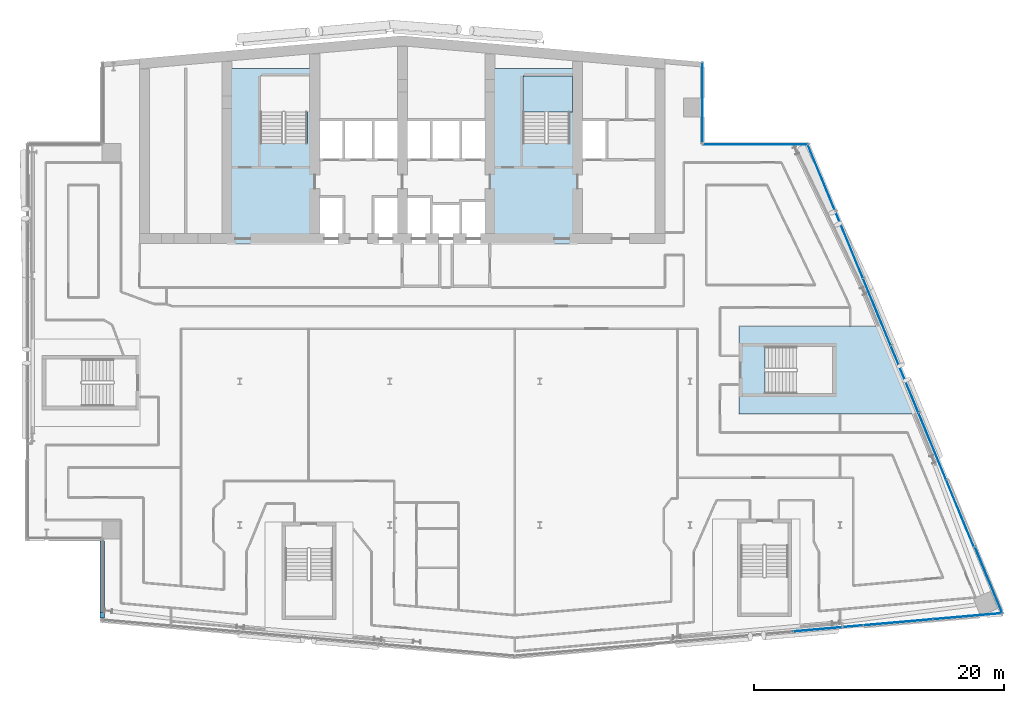
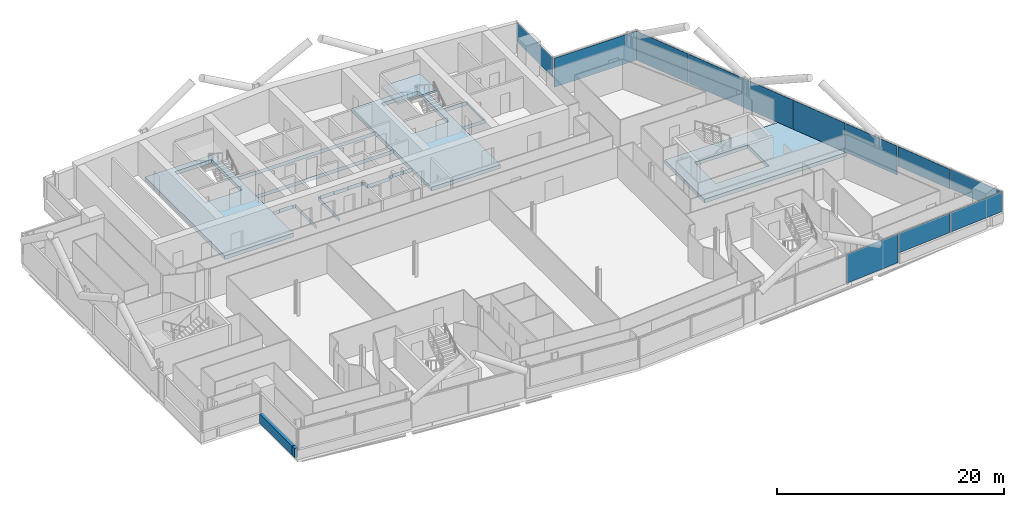
# One storey, part 14 of 27: 12 plates, 3 slabs, 2 walls, 5 elements without a shape of their own.
"""IFC4 building model written with IfcOpenShell, lengths in metres."""

from ifc_helpers import new_model, si_unit, direction, frame, frame_2d, origin, origin_2d, place, context, subcontext, project, spatial, polyline, rectangle, outline, extrude, material, layer, layer_set, type_object, element, aggregate, save


model = new_model("IFC4")

# Units and contexts
model_context = context("Model", 3, precision=1e-05, world=origin(), true_north=direction((0.0, 1.0)))
body_context = subcontext(model_context, "Body", "Model", "MODEL_VIEW")
ifc_project = project(units=[si_unit("LENGTHUNIT", "METRE"), si_unit("AREAUNIT", "SQUARE_METRE"), si_unit("VOLUMEUNIT", "CUBIC_METRE"), si_unit("PLANEANGLEUNIT", "RADIAN"), si_unit("MASSUNIT", "GRAM", prefix="KILO")], contexts=[model_context])

# Site, building, storey
site_placement = place(None, origin())
site = spatial("IfcSite", under=ifc_project, at=site_placement, CompositionType="ELEMENT")
building_placement = place(site_placement, origin())
building = spatial("IfcBuilding", under=site, at=building_placement, Name="Wharfspan Tower", CompositionType="ELEMENT")
storey_placement = place(building_placement, frame((0.0, 0.0, 191.5)))
storey = spatial("IfcBuildingStorey", under=building, at=storey_placement, Name="L47", CompositionType="ELEMENT", Elevation=191.5)

# Curtain wall, plates
ifc_material_1 = material(Name="Aluminium 6063-T6", Category="aluminium")
curtain_wall_type_1 = type_object("IfcCurtainWallType", Name="CURTAIN WALL FACETED FRONT", PredefinedType="NOTDEFINED", material=ifc_material_1)
curtain_wall_1_placement = place(storey_placement, origin())
curtain_wall_1 = element("IfcCurtainWall", 1, at=curtain_wall_1_placement, inside=storey, type_object=curtain_wall_type_1, Name="Curtain wall S2", PredefinedType="NOTDEFINED")
ifc_material_2 = material(Name="Glass clear low-iron double glazing", Category="glass")
ifc_layer_1 = layer(ifc_material_2, 0.040039)
ifc_layer_set_1 = layer_set([ifc_layer_1], Name="Glass clear low-iron double glazing")
plate_type_1 = type_object("IfcPlateType", Name="GLASS PANEL FACETED FRONT 40", PredefinedType="CURTAIN_PANEL", material=ifc_layer_set_1)
plate_1_placement = place(storey_placement, frame((76.637695, 3.728516, 1.0), z_axis=(0.0, 0.0, 1.0), x_axis=(0.996198, 0.087156, 0.0)))
plate_1 = element("IfcPlate", 2, at=plate_1_placement, type_object=plate_type_1, Name="Curtain wall S2 panel 6", PredefinedType="CURTAIN_PANEL", context=body_context, shape_type="SweptSolid", body=[
    extrude(rectangle(XDim=5.532715, YDim=0.040039, at=origin_2d()), origin(), (0.0, 0.0, 1.0), 2.120117),
])
plate_2_placement = place(storey_placement, frame((82.194092, 4.214844, 1.0), z_axis=(0.0, 0.0, 1.0), x_axis=(0.996198, 0.087156, 0.0)))
plate_2 = element("IfcPlate", 3, at=plate_2_placement, type_object=plate_type_1, Name="Curtain wall S2 panel 7", PredefinedType="CURTAIN_PANEL", context=body_context, shape_type="SweptSolid", body=[
    extrude(rectangle(XDim=5.502686, YDim=0.040039, at=origin_2d()), origin(), (0.0, 0.0, 1.0), 2.120117),
])

curtain_wall_type_2 = type_object("IfcCurtainWallType", Name="CURTAIN WALL PROW AND END", PredefinedType="NOTDEFINED", material=ifc_material_1)
curtain_wall_2_placement = place(storey_placement, origin())
curtain_wall_2 = element("IfcCurtainWall", 4, at=curtain_wall_2_placement, inside=storey, type_object=curtain_wall_type_2, Name="Curtain wall E", PredefinedType="NOTDEFINED")
ifc_layer_2 = layer(ifc_material_2, 0.040039)
ifc_layer_set_2 = layer_set([ifc_layer_2], Name="Glass clear low-iron double glazing")
plate_type_2 = type_object("IfcPlateType", Name="GLASS PANEL PROW AND END 40", PredefinedType="CURTAIN_PANEL", material=ifc_layer_set_2)
plate_3_placement = place(storey_placement, frame((83.885498, 7.099609, 1.0), z_axis=(0.0, 0.0, 1.0), x_axis=(-0.381602, 0.924325, 0.0)))
plate_3 = element("IfcPlate", 5, at=plate_3_placement, type_object=plate_type_2, Name="Curtain wall E panel 1", PredefinedType="CURTAIN_PANEL", context=body_context, shape_type="SweptSolid", body=[
    extrude(rectangle(XDim=5.721191, YDim=0.040039, at=origin_2d()), origin(), (0.0, 0.0, 1.0), 2.120117),
])
plate_4_placement = place(storey_placement, frame((81.599609, 12.426514, 1.0), z_axis=(0.0, 0.0, 1.0), x_axis=(-0.381602, 0.924325, 0.0)))
plate_4 = element("IfcPlate", 6, at=plate_4_placement, type_object=plate_type_2, Name="Curtain wall E panel 2", PredefinedType="CURTAIN_PANEL", context=body_context, shape_type="SweptSolid", body=[
    extrude(rectangle(XDim=5.751221, YDim=0.040039, at=origin_2d()), origin(), (0.0, 0.0, 1.0), 2.120117),
])

# Curtain wall, plate
curtain_wall_3_placement = place(storey_placement, origin())
curtain_wall_3 = element("IfcCurtainWall", 7, at=curtain_wall_3_placement, inside=storey, type_object=curtain_wall_type_2, Name="Curtain wall NRE-V", PredefinedType="NOTDEFINED")
plate_5_placement = place(storey_placement, frame((61.0, 45.262451, 1.0), z_axis=(0.0, 0.0, 1.0), x_axis=(0.0, 1.0, 0.0)))
plate_5 = element("IfcPlate", 8, at=plate_5_placement, type_object=plate_type_2, Name="Curtain wall NRE-V panel 1", PredefinedType="CURTAIN_PANEL", context=body_context, shape_type="SweptSolid", body=[
    extrude(rectangle(XDim=6.405029, YDim=0.040039, at=origin_2d()), origin(), (0.0, 0.0, 1.0), 2.120117),
])
aggregate(curtain_wall_3, [plate_5])

# Plate
ifc_material_3 = material(Name="Aluminium composite opaque insulated panel", Category="aluminium")
ifc_layer_3 = layer(ifc_material_3, 0.040039)
ifc_layer_set_3 = layer_set([ifc_layer_3], Name="Aluminium composite opaque insulated panel")
plate_type_3 = type_object("IfcPlateType", Name="INFILL PANEL FACETED FRONT OPAQUE 40", PredefinedType="SHEET", material=ifc_layer_set_3)
plate_6_placement = place(storey_placement, frame((71.066162, 3.241211, 0.0), z_axis=(0.0, 0.0, 1.0), x_axis=(0.996198, 0.087156, 0.0)))
plate_6 = element("IfcPlate", 9, at=plate_6_placement, type_object=plate_type_3, Name="Curtain wall S2 panel 5", PredefinedType="SHEET", context=body_context, shape_type="SweptSolid", body=[
    extrude(rectangle(XDim=5.532715, YDim=0.040039, at=origin_2d()), origin(), (0.0, 0.0, 1.0), 3.120117),
])

aggregate(curtain_wall_1, [plate_6, plate_1, plate_2])

ifc_layer_4 = layer(ifc_material_3, 0.040039)
ifc_layer_set_4 = layer_set([ifc_layer_4], Name="Aluminium composite opaque insulated panel")
plate_type_4 = type_object("IfcPlateType", Name="INFILL PANEL PROW AND END OPAQUE 40", PredefinedType="SHEET", material=ifc_layer_set_4)
plate_7_placement = place(storey_placement, frame((79.38208, 17.798096, 0.0), z_axis=(0.0, 0.0, 1.0), x_axis=(-0.381602, 0.924325, 0.0)))
plate_7 = element("IfcPlate", 10, at=plate_7_placement, type_object=plate_type_4, Name="Curtain wall E panel 3", PredefinedType="SHEET", context=body_context, shape_type="SweptSolid", body=[
    extrude(rectangle(XDim=5.751221, YDim=0.040039, at=origin_2d()), origin(), (0.0, 0.0, 1.0), 3.120117),
])

plate_8_placement = place(storey_placement, frame((77.164551, 23.169434, 0.0), z_axis=(0.0, 0.0, 1.0), x_axis=(-0.381602, 0.924325, 0.0)))
plate_8 = element("IfcPlate", 11, at=plate_8_placement, type_object=plate_type_4, Name="Curtain wall E panel 4", PredefinedType="SHEET", context=body_context, shape_type="SweptSolid", body=[
    extrude(rectangle(XDim=5.751221, YDim=0.040039, at=origin_2d()), origin(), (0.0, 0.0, 1.0), 3.120117),
])

plate_9_placement = place(storey_placement, frame((74.947021, 28.541016, 0.0), z_axis=(0.0, 0.0, 1.0), x_axis=(-0.381602, 0.924325, 0.0)))
plate_9 = element("IfcPlate", 12, at=plate_9_placement, type_object=plate_type_4, Name="Curtain wall E panel 5", PredefinedType="SHEET", context=body_context, shape_type="SweptSolid", body=[
    extrude(rectangle(XDim=5.751221, YDim=0.040039, at=origin_2d()), origin(), (0.0, 0.0, 1.0), 3.120117),
])

plate_10_placement = place(storey_placement, frame((72.729492, 33.912354, 0.0), z_axis=(0.0, 0.0, 1.0), x_axis=(-0.381602, 0.924325, 0.0)))
plate_10 = element("IfcPlate", 13, at=plate_10_placement, type_object=plate_type_4, Name="Curtain wall E panel 6", PredefinedType="SHEET", context=body_context, shape_type="SweptSolid", body=[
    extrude(rectangle(XDim=5.751221, YDim=0.040039, at=origin_2d()), origin(), (0.0, 0.0, 1.0), 3.120117),
])

plate_11_placement = place(storey_placement, frame((70.517578, 39.269775, 0.0), z_axis=(0.0, 0.0, 1.0), x_axis=(-0.381602, 0.924325, 0.0)))
plate_11 = element("IfcPlate", 14, at=plate_11_placement, type_object=plate_type_4, Name="Curtain wall E panel 7", PredefinedType="SHEET", context=body_context, shape_type="SweptSolid", body=[
    extrude(rectangle(XDim=5.721191, YDim=0.040039, at=origin_2d()), origin(), (0.0, 0.0, 1.0), 3.120117),
])

aggregate(curtain_wall_2, [plate_3, plate_4, plate_7, plate_8, plate_9, plate_10, plate_11])

# Curtain wall, plate
curtain_wall_4_placement = place(storey_placement, origin())
curtain_wall_4 = element("IfcCurtainWall", 15, at=curtain_wall_4_placement, inside=storey, type_object=curtain_wall_type_2, Name="Curtain wall NRE-H", PredefinedType="NOTDEFINED")
plate_12_placement = place(storey_placement, frame((65.238525, 41.919922, 0.0), z_axis=(0.0, 0.0, 1.0), x_axis=(-1.0, 0.0, 0.0)))
plate_12 = element("IfcPlate", 16, at=plate_12_placement, type_object=plate_type_4, Name="Curtain wall NRE-H panel 1", PredefinedType="SHEET", context=body_context, shape_type="SweptSolid", body=[
    extrude(rectangle(XDim=8.357178, YDim=0.040039, at=origin_2d()), origin(), (0.0, 0.0, 1.0), 3.120117),
])
aggregate(curtain_wall_4, [plate_12])

# Slabs
ifc_material_4 = material(Name="Concrete C40/50", Category="concrete")
ifc_layer_5 = layer(ifc_material_4, 0.399902)
ifc_layer_set_5 = layer_set([ifc_layer_5], Name="Concrete C40/50")
slab_type_1 = type_object("IfcSlabType", Name="Post-tensioned flat slab 400", PredefinedType="FLOOR", material=ifc_layer_set_5)
slab_1_placement = place(storey_placement, frame((0.0, 0.0, -0.400146)))
element("IfcSlab", 17, at=slab_1_placement, inside=storey, type_object=slab_type_1, Name="Core floor slab L47 part 3", PredefinedType="FLOOR", context=body_context, shape_type="SweptSolid", body=[
    extrude(outline(polyline([(23.0, 34.0), (29.998047, 34.0), (29.998047, 37.75), (29.998047, 37.750244), (29.998047, 37.750488), (29.998047, 37.750488), (29.998291, 37.750732), (29.998291, 37.750977), (29.998291, 37.751221), (29.998535, 37.751221), (29.998535, 37.751465), (29.998779, 37.751465), (29.998779, 37.751709), (29.999023, 37.751709), (29.999268, 37.751709), (29.999512, 37.751953), (29.999512, 37.751953), (29.999756, 37.751953), (30.0, 37.751953), (30.7146, 37.751953), (30.7146, 37.800049), (30.7146, 37.800293), (30.7146, 37.800293), (30.714844, 37.800537), (30.714844, 37.800781), (30.714844, 37.800781), (30.715088, 37.801025), (30.715088, 37.80127), (30.715332, 37.801514), (30.715332, 37.801514), (30.715576, 37.801758), (30.71582, 37.801758), (30.71582, 37.801758), (30.716064, 37.802002), (30.716309, 37.802002), (30.716553, 37.802002), (30.716797, 37.802002), (32.116699, 37.802002), (32.116943, 37.802002), (32.117188, 37.802002), (32.117188, 37.802002), (32.117432, 37.801758), (32.117676, 37.801758), (32.11792, 37.801758), (32.11792, 37.801514), (32.118164, 37.801514), (32.118164, 37.80127), (32.118408, 37.801025), (32.118408, 37.800781), (32.118408, 37.800781), (32.118652, 37.800537), (32.118652, 37.800293), (32.118652, 37.800293), (32.118652, 37.800049), (32.118652, 37.751953), (32.333252, 37.751953), (32.333496, 37.751953), (32.33374, 37.751953), (32.333984, 37.751953), (32.333984, 37.751709), (32.334229, 37.751709), (32.334473, 37.751709), (32.334717, 37.751465), (32.334717, 37.751465), (32.334961, 37.751221), (32.334961, 37.751221), (32.335205, 37.750977), (32.335205, 37.750732), (32.335205, 37.750488), (32.335205, 37.750488), (32.335205, 37.750244), (32.335205, 37.75), (32.335205, 34.0), (32.341309, 34.0), (32.341309, 37.758057), (32.126709, 37.758057), (32.126465, 37.758057), (32.126221, 37.758057), (32.126221, 37.758057), (32.125977, 37.758301), (32.125732, 37.758301), (32.125488, 37.758301), (32.125488, 37.758545), (32.125244, 37.758545), (32.125244, 37.758789), (32.125, 37.758789), (32.125, 37.759033), (32.125, 37.759277), (32.124756, 37.759521), (32.124756, 37.759521), (32.124756, 37.759766), (32.124756, 37.76001), (32.124756, 37.808105), (30.70874, 37.808105), (30.70874, 37.76001), (30.70874, 37.759766), (30.70874, 37.759521), (30.708496, 37.759521), (30.708496, 37.759277), (30.708496, 37.759033), (30.708496, 37.758789), (30.708252, 37.758789), (30.708008, 37.758545), (30.708008, 37.758545), (30.707764, 37.758301), (30.70752, 37.758301), (30.70752, 37.758301), (30.707275, 37.758057), (30.707031, 37.758057), (30.706787, 37.758057), (30.706787, 37.758057), (30.01001, 37.758057), (30.009766, 37.758057), (30.009521, 37.758057), (30.009521, 37.758057), (30.009277, 37.758301), (30.009033, 37.758301), (30.008789, 37.758301), (30.008789, 37.758545), (30.008545, 37.758545), (30.008545, 37.758789), (30.008301, 37.758789), (30.008301, 37.759033), (30.008301, 37.759277), (30.008057, 37.759521), (30.008057, 37.759521), (30.008057, 37.759766), (30.008057, 37.76001), (30.008057, 40.689941), (30.008057, 40.690186), (30.008057, 40.69043), (30.008057, 40.690674), (30.008301, 40.690918), (30.008301, 40.690918), (30.008301, 40.691162), (30.008545, 40.691406), (30.008545, 40.691406), (30.008789, 40.691406), (30.008789, 40.69165), (30.009033, 40.691895), (30.009277, 40.691895), (30.009521, 40.691895), (30.009521, 40.691895), (30.009766, 40.691895), (30.01001, 40.691895), (43.98999, 40.691895), (43.990234, 40.691895), (43.990479, 40.691895), (43.990479, 40.691895), (43.990723, 40.691895), (43.990967, 40.691895), (43.991211, 40.69165), (43.991211, 40.691406), (43.991455, 40.691406), (43.991455, 40.691406), (43.991699, 40.691162), (43.991699, 40.690918), (43.991699, 40.690918), (43.991943, 40.690674), (43.991943, 40.69043), (43.991943, 40.690186), (43.991943, 40.689941), (43.991943, 37.459961), (43.991943, 37.459717), (43.991943, 37.459717), (43.991943, 37.459473), (43.991699, 37.459229), (43.991699, 37.458984), (43.991699, 37.458984), (43.991455, 37.45874), (43.991455, 37.458496), (43.991211, 37.458496), (43.991211, 37.458252), (43.990967, 37.458252), (43.990723, 37.458252), (43.990479, 37.458008), (43.990479, 37.458008), (43.990234, 37.458008), (43.98999, 37.458008), (43.143311, 37.458008), (43.143066, 37.458008), (43.142822, 37.458008), (43.142578, 37.458008), (43.142578, 37.458252), (43.142334, 37.458252), (43.14209, 37.458252), (43.14209, 37.458496), (43.141846, 37.458496), (43.141846, 37.45874), (43.141602, 37.458984), (43.141602, 37.458984), (43.141602, 37.459229), (43.141357, 37.459473), (43.141357, 37.459717), (43.141357, 37.459717), (43.141357, 37.459961), (43.141357, 37.508057), (42.025391, 37.508057), (42.025391, 37.459961), (42.025391, 37.459717), (42.025391, 37.459717), (42.025146, 37.459473), (42.025146, 37.459229), (42.025146, 37.458984), (42.024902, 37.458984), (42.024902, 37.45874), (42.024658, 37.458496), (42.024658, 37.458496), (42.024414, 37.458252), (42.02417, 37.458252), (42.02417, 37.458252), (42.023926, 37.458008), (42.023682, 37.458008), (42.023438, 37.458008), (42.023193, 37.458008), (41.658691, 37.458008), (41.658691, 37.209961), (41.658691, 37.209717), (41.658691, 37.209717), (41.658691, 37.209473), (41.658447, 37.209229), (41.658447, 37.208984), (41.658447, 37.208984), (41.658203, 37.20874), (41.658203, 37.208496), (41.657959, 37.208496), (41.657715, 37.208252), (41.657715, 37.208252), (41.657471, 37.208252), (41.657227, 37.208008), (41.656982, 37.208008), (41.656982, 37.208008), (41.656738, 37.208008), (39.343262, 37.208008), (39.343018, 37.208008), (39.343018, 37.208008), (39.342773, 37.208008), (39.342529, 37.208252), (39.342285, 37.208252), (39.342285, 37.208252), (39.342041, 37.208496), (39.341797, 37.208496), (39.341797, 37.20874), (39.341553, 37.208984), (39.341553, 37.208984), (39.341553, 37.209229), (39.341309, 37.209473), (39.341309, 37.209717), (39.341309, 37.209717), (39.341309, 37.209961), (39.341309, 37.758057), (39.166748, 37.758057), (39.166504, 37.758057), (39.16626, 37.758057), (39.166016, 37.758057), (39.166016, 37.758301), (39.165771, 37.758301), (39.165527, 37.758301), (39.165283, 37.758545), (39.165283, 37.758545), (39.165283, 37.758789), (39.165039, 37.758789), (39.164795, 37.759033), (39.164795, 37.759277), (39.164795, 37.759521), (39.164795, 37.759521), (39.164795, 37.759766), (39.164795, 37.76001), (39.164795, 37.808105), (37.668701, 37.808105), (37.668701, 37.76001), (37.668701, 37.759766), (37.668701, 37.759521), (37.668701, 37.759521), (37.668457, 37.759277), (37.668457, 37.759033), (37.668457, 37.758789), (37.668213, 37.758789), (37.668213, 37.758545), (37.667969, 37.758545), (37.667725, 37.758301), (37.66748, 37.758301), (37.66748, 37.758301), (37.667236, 37.758057), (37.666992, 37.758057), (37.666992, 37.758057), (37.666748, 37.758057), (36.293213, 37.758057), (36.293213, 37.758057), (36.292969, 37.758057), (36.292725, 37.758057), (36.29248, 37.758301), (36.29248, 37.758301), (36.292236, 37.758301), (36.291992, 37.758545), (36.291992, 37.758545), (36.291748, 37.758789), (36.291504, 37.758789), (36.291504, 37.759033), (36.291504, 37.759277), (36.291504, 37.759521), (36.29126, 37.759521), (36.29126, 37.759766), (36.29126, 37.76001), (36.29126, 37.808105), (34.875244, 37.808105), (34.875244, 37.76001), (34.875244, 37.759766), (34.875244, 37.759521), (34.875244, 37.759521), (34.875, 37.759277), (34.875, 37.759033), (34.875, 37.758789), (34.874756, 37.758789), (34.874756, 37.758545), (34.874512, 37.758545), (34.874512, 37.758301), (34.874268, 37.758301), (34.874023, 37.758301), (34.873779, 37.758057), (34.873779, 37.758057), (34.873535, 37.758057), (34.873291, 37.758057), (34.658691, 37.758057), (34.658691, 34.0), (34.664795, 34.0), (34.664795, 37.75), (34.664795, 37.750244), (34.664795, 37.750488), (34.664795, 37.750488), (34.664795, 37.750732), (34.664795, 37.750977), (34.665039, 37.751221), (34.665039, 37.751221), (34.665283, 37.751465), (34.665283, 37.751465), (34.665527, 37.751709), (34.665771, 37.751709), (34.666016, 37.751709), (34.666016, 37.751953), (34.66626, 37.751953), (34.666504, 37.751953), (34.666748, 37.751953), (34.881348, 37.751953), (34.881348, 37.800049), (34.881348, 37.800293), (34.881348, 37.800293), (34.881348, 37.800537), (34.881592, 37.800781), (34.881592, 37.800781), (34.881592, 37.801025), (34.881836, 37.80127), (34.881836, 37.801514), (34.88208, 37.801514), (34.88208, 37.801758), (34.882324, 37.801758), (34.882568, 37.801758), (34.882812, 37.802002), (34.882812, 37.802002), (34.883057, 37.802002), (34.883301, 37.802002), (36.283203, 37.802002), (36.283447, 37.802002), (36.283691, 37.802002), (36.283936, 37.802002), (36.28418, 37.801758), (36.28418, 37.801758), (36.284424, 37.801758), (36.284668, 37.801514), (36.284668, 37.801514), (36.284912, 37.80127), (36.284912, 37.801025), (36.285156, 37.800781), (36.285156, 37.800781), (36.285156, 37.800537), (36.2854, 37.800293), (36.2854, 37.800293), (36.2854, 37.800049), (36.2854, 37.751953), (37.674805, 37.751953), (37.674805, 37.800049), (37.674805, 37.800293), (37.674805, 37.800293), (37.674805, 37.800537), (37.674805, 37.800781), (37.674805, 37.800781), (37.675049, 37.801025), (37.675049, 37.80127), (37.675293, 37.801514), (37.675293, 37.801514), (37.675537, 37.801758), (37.675781, 37.801758), (37.675781, 37.801758), (37.676025, 37.802002), (37.67627, 37.802002), (37.676514, 37.802002), (37.676758, 37.802002), (39.156738, 37.802002), (39.156982, 37.802002), (39.156982, 37.802002), (39.157227, 37.802002), (39.157471, 37.801758), (39.157715, 37.801758), (39.157715, 37.801758), (39.157959, 37.801514), (39.158203, 37.801514), (39.158203, 37.80127), (39.158203, 37.801025), (39.158447, 37.800781), (39.158447, 37.800781), (39.158691, 37.800537), (39.158691, 37.800293), (39.158691, 37.800293), (39.158691, 37.800049), (39.158691, 37.751953), (39.333252, 37.751953), (39.333496, 37.751953), (39.33374, 37.751953), (39.333984, 37.751953), (39.333984, 37.751709), (39.334229, 37.751709), (39.334473, 37.751709), (39.334717, 37.751465), (39.334717, 37.751465), (39.334961, 37.751221), (39.334961, 37.751221), (39.335205, 37.750977), (39.335205, 37.750732), (39.335205, 37.750488), (39.335205, 37.750488), (39.335205, 37.750244), (39.335205, 37.75), (39.335205, 37.201904), (41.664795, 37.201904), (41.664795, 37.449951), (41.664795, 37.450195), (41.664795, 37.450439), (41.664795, 37.450684), (41.664795, 37.450684), (41.664795, 37.450928), (41.665039, 37.451172), (41.665039, 37.451416), (41.665283, 37.451416), (41.665283, 37.451416), (41.665527, 37.45166), (41.665771, 37.451904), (41.666016, 37.451904), (41.666016, 37.451904), (41.66626, 37.451904), (41.666504, 37.451904), (41.666748, 37.451904), (42.03125, 37.451904), (42.03125, 37.5), (42.03125, 37.500244), (42.031494, 37.500488), (42.031494, 37.500488), (42.031494, 37.500732), (42.031494, 37.500977), (42.031738, 37.501221), (42.031738, 37.501221), (42.031982, 37.501465), (42.031982, 37.501465), (42.032227, 37.501709), (42.032471, 37.501709), (42.032715, 37.501709), (42.032715, 37.501953), (42.032959, 37.501953), (42.033203, 37.501953), (42.033203, 37.501953), (43.133301, 37.501953), (43.133545, 37.501953), (43.133789, 37.501953), (43.133789, 37.501953), (43.134033, 37.501709), (43.134277, 37.501709), (43.134521, 37.501709), (43.134521, 37.501465), (43.134766, 37.501465), (43.13501, 37.501221), (43.13501, 37.501221), (43.13501, 37.500977), (43.135254, 37.500732), (43.135254, 37.500488), (43.135254, 37.500488), (43.135254, 37.500244), (43.135254, 37.5), (43.135254, 37.451904), (44.0, 37.451904), (44.000244, 37.451904), (44.000488, 37.451904), (44.000488, 37.451904), (44.000732, 37.451904), (44.000977, 37.451904), (44.001221, 37.45166), (44.001221, 37.451416), (44.001465, 37.451416), (44.001465, 37.451416), (44.001709, 37.451172), (44.001709, 37.450928), (44.001709, 37.450684), (44.001953, 37.450684), (44.001953, 37.450439), (44.001953, 37.450195), (44.001953, 37.449951), (44.001953, 34.0), (51.0, 34.0), (51.008057, 34.0), (51.008057, 40.689941), (51.008057, 40.690186), (51.008057, 40.69043), (51.008057, 40.690674), (51.008301, 40.690918), (51.008301, 40.690918), (51.008301, 40.691162), (51.008545, 40.691406), (51.008545, 40.691406), (51.008789, 40.691406), (51.008789, 40.69165), (51.009033, 40.691895), (51.009277, 40.691895), (51.009521, 40.691895), (51.009521, 40.691895), (51.009766, 40.691895), (51.01001, 40.691895), (53.341309, 40.691895), (53.341309, 43.907959), (51.01001, 43.907959), (51.009766, 43.907959), (51.009521, 43.907959), (51.009521, 43.908203), (51.009277, 43.908203), (51.009033, 43.908203), (51.008789, 43.908203), (51.008789, 43.908447), (51.008545, 43.908691), (51.008545, 43.908691), (51.008301, 43.908936), (51.008301, 43.90918), (51.008301, 43.90918), (51.008057, 43.909424), (51.008057, 43.909668), (51.008057, 43.909912), (51.008057, 43.909912), (51.008057, 48.008057), (43.991943, 48.008057), (43.991943, 43.909912), (43.991943, 43.909912), (43.991943, 43.909668), (43.991943, 43.909424), (43.991699, 43.90918), (43.991699, 43.90918), (43.991699, 43.908936), (43.991455, 43.908691), (43.991455, 43.908691), (43.991211, 43.908447), (43.991211, 43.908203), (43.990967, 43.908203), (43.990723, 43.908203), (43.990479, 43.908203), (43.990479, 43.907959), (43.990234, 43.907959), (43.98999, 43.907959), (30.01001, 43.907959), (30.009766, 43.907959), (30.009521, 43.907959), (30.009521, 43.908203), (30.009277, 43.908203), (30.009033, 43.908203), (30.008789, 43.908203), (30.008789, 43.908447), (30.008545, 43.908691), (30.008545, 43.908691), (30.008301, 43.908936), (30.008301, 43.90918), (30.008301, 43.90918), (30.008057, 43.909424), (30.008057, 43.909668), (30.008057, 43.909912), (30.008057, 43.909912), (30.008057, 48.008057), (22.991943, 48.008057), (22.991943, 34.0), (23.0, 34.0)]), holes=[polyline([(53.333252, 43.9021), (53.333496, 43.9021), (53.33374, 43.9021), (53.333984, 43.901855), (53.333984, 43.901855), (53.334229, 43.901855), (53.334473, 43.901611), (53.334717, 43.901611), (53.334717, 43.901367), (53.334961, 43.901367), (53.334961, 43.901123), (53.335205, 43.900879), (53.335205, 43.900879), (53.335205, 43.900635), (53.335205, 43.900391), (53.335205, 43.900146), (53.335205, 43.899902), (53.335205, 40.699951), (53.335205, 40.699707), (53.335205, 40.699707), (53.335205, 40.699463), (53.335205, 40.699219), (53.335205, 40.699219), (53.334961, 40.698975), (53.334961, 40.69873), (53.334717, 40.698486), (53.334717, 40.698486), (53.334473, 40.698242), (53.334229, 40.698242), (53.333984, 40.698242), (53.333984, 40.697998), (53.33374, 40.697998), (53.333496, 40.697998), (53.333252, 40.697998), (51.0, 40.697998), (50.999756, 40.697998), (50.999512, 40.697998), (50.999512, 40.697998), (50.999268, 40.698242), (50.999023, 40.698242), (50.998779, 40.698242), (50.998779, 40.698486), (50.998535, 40.698486), (50.998535, 40.69873), (50.998291, 40.698975), (50.998291, 40.699219), (50.998291, 40.699219), (50.998047, 40.699463), (50.998047, 40.699707), (50.998047, 40.699707), (50.998047, 40.699951), (50.998047, 43.899902), (50.998047, 43.900146), (50.998047, 43.900391), (50.998047, 43.900635), (50.998291, 43.900879), (50.998291, 43.900879), (50.998291, 43.901123), (50.998535, 43.901367), (50.998535, 43.901367), (50.998779, 43.901611), (50.998779, 43.901611), (50.999023, 43.901855), (50.999268, 43.901855), (50.999512, 43.901855), (50.999512, 43.9021), (50.999756, 43.9021), (51.0, 43.9021), (53.333252, 43.9021)]), polyline([(46.649902, 41.998047), (46.649902, 41.998047), (46.649658, 41.998047), (46.649414, 41.998047), (46.64917, 41.998291), (46.64917, 41.998291), (46.648926, 41.998291), (46.648682, 41.998535), (46.648682, 41.998535), (46.648438, 41.998779), (46.648193, 41.998779), (46.648193, 41.999023), (46.648193, 41.999268), (46.648193, 41.999512), (46.647949, 41.999512), (46.647949, 41.999756), (46.647949, 42.0), (46.647949, 47.399902), (46.647949, 47.400146), (46.647949, 47.400391), (46.648193, 47.400635), (46.648193, 47.400879), (46.648193, 47.400879), (46.648193, 47.401123), (46.648438, 47.401367), (46.648682, 47.401367), (46.648682, 47.401611), (46.648926, 47.401611), (46.64917, 47.401855), (46.64917, 47.401855), (46.649414, 47.401855), (46.649658, 47.4021), (46.649902, 47.4021), (46.649902, 47.4021), (50.399902, 47.4021), (50.400146, 47.4021), (50.400391, 47.4021), (50.400635, 47.401855), (50.400879, 47.401855), (50.400879, 47.401855), (50.401123, 47.401611), (50.401367, 47.401611), (50.401367, 47.401367), (50.401611, 47.401367), (50.401611, 47.401123), (50.401855, 47.400879), (50.401855, 47.400879), (50.401855, 47.400635), (50.4021, 47.400391), (50.4021, 47.400146), (50.4021, 47.399902), (50.4021, 42.0), (50.4021, 41.999756), (50.4021, 41.999512), (50.401855, 41.999512), (50.401855, 41.999268), (50.401855, 41.999023), (50.401611, 41.998779), (50.401611, 41.998779), (50.401367, 41.998535), (50.401367, 41.998535), (50.401123, 41.998291), (50.400879, 41.998291), (50.400879, 41.998291), (50.400635, 41.998047), (50.400391, 41.998047), (50.400146, 41.998047), (50.399902, 41.998047), (46.649902, 41.998047)]), polyline([(44.0, 43.9021), (44.000244, 43.9021), (44.000488, 43.9021), (44.000488, 43.901855), (44.000732, 43.901855), (44.000977, 43.901855), (44.001221, 43.901611), (44.001221, 43.901611), (44.001465, 43.901367), (44.001465, 43.901367), (44.001709, 43.901123), (44.001709, 43.900879), (44.001709, 43.900879), (44.001953, 43.900635), (44.001953, 43.900391), (44.001953, 43.900146), (44.001953, 43.899902), (44.001953, 40.699951), (44.001953, 40.699707), (44.001953, 40.699707), (44.001953, 40.699463), (44.001709, 40.699219), (44.001709, 40.699219), (44.001709, 40.698975), (44.001465, 40.69873), (44.001465, 40.698486), (44.001221, 40.698486), (44.001221, 40.698242), (44.000977, 40.698242), (44.000732, 40.698242), (44.000488, 40.697998), (44.000488, 40.697998), (44.000244, 40.697998), (44.0, 40.697998), (30.0, 40.697998), (29.999756, 40.697998), (29.999512, 40.697998), (29.999512, 40.697998), (29.999268, 40.698242), (29.999023, 40.698242), (29.998779, 40.698242), (29.998779, 40.698486), (29.998535, 40.698486), (29.998535, 40.69873), (29.998291, 40.698975), (29.998291, 40.699219), (29.998291, 40.699219), (29.998047, 40.699463), (29.998047, 40.699707), (29.998047, 40.699707), (29.998047, 40.699951), (29.998047, 43.899902), (29.998047, 43.900146), (29.998047, 43.900391), (29.998047, 43.900635), (29.998291, 43.900879), (29.998291, 43.900879), (29.998291, 43.901123), (29.998535, 43.901367), (29.998535, 43.901367), (29.998779, 43.901611), (29.998779, 43.901611), (29.999023, 43.901855), (29.999268, 43.901855), (29.999512, 43.901855), (29.999512, 43.9021), (29.999756, 43.9021), (30.0, 43.9021), (44.0, 43.9021)]), polyline([(29.4021, 42.0), (29.4021, 41.999756), (29.4021, 41.999512), (29.401855, 41.999512), (29.401855, 41.999268), (29.401855, 41.999023), (29.401611, 41.998779), (29.401611, 41.998779), (29.401367, 41.998535), (29.401367, 41.998535), (29.401123, 41.998291), (29.400879, 41.998291), (29.400879, 41.998291), (29.400635, 41.998047), (29.400391, 41.998047), (29.400146, 41.998047), (29.399902, 41.998047), (25.649902, 41.998047), (25.649902, 41.998047), (25.649658, 41.998047), (25.649414, 41.998047), (25.64917, 41.998291), (25.64917, 41.998291), (25.648926, 41.998291), (25.648682, 41.998535), (25.648682, 41.998535), (25.648438, 41.998779), (25.648193, 41.998779), (25.648193, 41.999023), (25.648193, 41.999268), (25.648193, 41.999512), (25.647949, 41.999512), (25.647949, 41.999756), (25.647949, 42.0), (25.647949, 47.399902), (25.647949, 47.400146), (25.647949, 47.400391), (25.648193, 47.400635), (25.648193, 47.400879), (25.648193, 47.400879), (25.648193, 47.401123), (25.648438, 47.401367), (25.648682, 47.401367), (25.648682, 47.401611), (25.648926, 47.401611), (25.64917, 47.401855), (25.64917, 47.401855), (25.649414, 47.401855), (25.649658, 47.4021), (25.649902, 47.4021), (25.649902, 47.4021), (29.399902, 47.4021), (29.400146, 47.4021), (29.400391, 47.4021), (29.400635, 47.401855), (29.400879, 47.401855), (29.400879, 47.401855), (29.401123, 47.401611), (29.401367, 47.401611), (29.401367, 47.401367), (29.401611, 47.401367), (29.401611, 47.401123), (29.401855, 47.400879), (29.401855, 47.400879), (29.401855, 47.400635), (29.4021, 47.400391), (29.4021, 47.400146), (29.4021, 47.399902), (29.4021, 42.0)])]), origin(), (0.0, 0.0, 1.0), 0.400146),
])
slab_2_placement = place(storey_placement, frame((0.0, 0.0, -0.400146)))
element("IfcSlab", 18, at=slab_2_placement, inside=storey, type_object=slab_type_1, Name="Core floor slab L47 part 5", PredefinedType="FLOOR", context=body_context, shape_type="SweptSolid", body=[
    extrude(outline(polyline([(78.394531, 20.399902), (75.504639, 27.399902), (63.904541, 27.399902), (63.904541, 20.399902), (78.394531, 20.399902)]), holes=[polyline([(66.004639, 22.022949), (66.004395, 22.022949), (66.00415, 22.022949), (66.003906, 22.023193), (66.003906, 22.023193), (66.003662, 22.023193), (66.003418, 22.023193), (66.003418, 22.023438), (66.003174, 22.023682), (66.00293, 22.023682), (66.00293, 22.023926), (66.002686, 22.02417), (66.002686, 22.02417), (66.002686, 22.024414), (66.002686, 22.024658), (66.002686, 22.024902), (66.002686, 22.024902), (66.002686, 25.774902), (66.002686, 25.775146), (66.002686, 25.775391), (66.002686, 25.775635), (66.002686, 25.775879), (66.002686, 25.775879), (66.00293, 25.776123), (66.00293, 25.776367), (66.003174, 25.776367), (66.003418, 25.776611), (66.003418, 25.776611), (66.003662, 25.776855), (66.003906, 25.776855), (66.003906, 25.776855), (66.00415, 25.7771), (66.004395, 25.7771), (66.004639, 25.7771), (71.404541, 25.7771), (71.404785, 25.7771), (71.405029, 25.7771), (71.405273, 25.776855), (71.405518, 25.776855), (71.405518, 25.776855), (71.405762, 25.776611), (71.406006, 25.776611), (71.406006, 25.776367), (71.406006, 25.776367), (71.40625, 25.776123), (71.406494, 25.775879), (71.406494, 25.775879), (71.406494, 25.775635), (71.406494, 25.775391), (71.406494, 25.775146), (71.406494, 25.774902), (71.406494, 22.024902), (71.406494, 22.024902), (71.406494, 22.024658), (71.406494, 22.024414), (71.406494, 22.02417), (71.406494, 22.02417), (71.40625, 22.023926), (71.406006, 22.023682), (71.406006, 22.023682), (71.406006, 22.023438), (71.405762, 22.023193), (71.405518, 22.023193), (71.405518, 22.023193), (71.405273, 22.023193), (71.405029, 22.022949), (71.404785, 22.022949), (71.404541, 22.022949), (66.004639, 22.022949)])]), origin(), (0.0, 0.0, 1.0), 0.400146),
])

# Stair, slab
stair_type = type_object("IfcStairType", Name="Half-turn stair 20 risers 180 mm", PredefinedType="HALF_TURN_STAIR", material=ifc_material_4)
stair_placement = place(storey_placement, origin())
stair = element("IfcStair", 19, at=stair_placement, inside=storey, type_object=stair_type, Name="L47 stair ST2", PredefinedType="HALF_TURN_STAIR")
ifc_layer_6 = layer(ifc_material_4, 0.199951)
ifc_layer_set_6 = layer_set([ifc_layer_6], Name="Concrete C40/50")
slab_type_2 = type_object("IfcSlabType", Name="Stair landing 200", PredefinedType="LANDING", material=ifc_layer_set_6)
slab_3_placement = place(storey_placement, frame((0.0, 0.0, 1.599854)))
slab_3 = element("IfcSlab", 20, at=slab_3_placement, type_object=slab_type_2, Name="ST2 landing 1", PredefinedType="LANDING", context=body_context, shape_type="SweptSolid", body=[
    extrude(outline(polyline([(46.649902, 44.52002), (50.600098, 44.52002), (50.600098, 47.399902), (46.649902, 47.399902), (46.649902, 44.52002)])), origin(), (0.0, 0.0, 1.0), 0.200195),
])
aggregate(stair, [slab_3])

# Walls
ifc_layer_7 = layer(ifc_material_4, 0.350098)
ifc_layer_set_7 = layer_set([ifc_layer_7], Name="Concrete C40/50")
wall_type = type_object("IfcWallType", Name="SPANDREL EXPOSED CONCRETE 350", PredefinedType="SOLIDWALL", material=ifc_layer_set_7)
wall_1_placement = place(storey_placement, frame((12.995117, 10.219971, 0.0), z_axis=(0.0, 0.0, 1.0), x_axis=(0.0, -1.0, 0.0)))
element("IfcWall", 21, at=wall_1_placement, inside=storey, type_object=wall_type, Name="Spandrel upstand L47 NFW-V", PredefinedType="SOLIDWALL", context=body_context, shape_type="SweptSolid", body=[
    extrude(rectangle(XDim=5.693359, YDim=0.350098, at=frame_2d((2.84668, 0.0))), origin(), (0.0, 0.0, 1.0), 1.0),
])
wall_2_placement = place(storey_placement, frame((12.995117, 4.512451, 0.0), z_axis=(0.0, 0.0, 1.0), x_axis=(0.0, -1.0, 0.0)))
element("IfcWall", 22, at=wall_2_placement, inside=storey, type_object=wall_type, Name="Spandrel upstand L47 NFW-V 2", PredefinedType="SOLIDWALL", context=body_context, shape_type="SweptSolid", body=[
    extrude(rectangle(XDim=0.453613, YDim=0.350098, at=frame_2d((0.226807, 0.0))), origin(), (0.0, 0.0, 1.0), 1.0),
])

save(model, "model.ifc")
